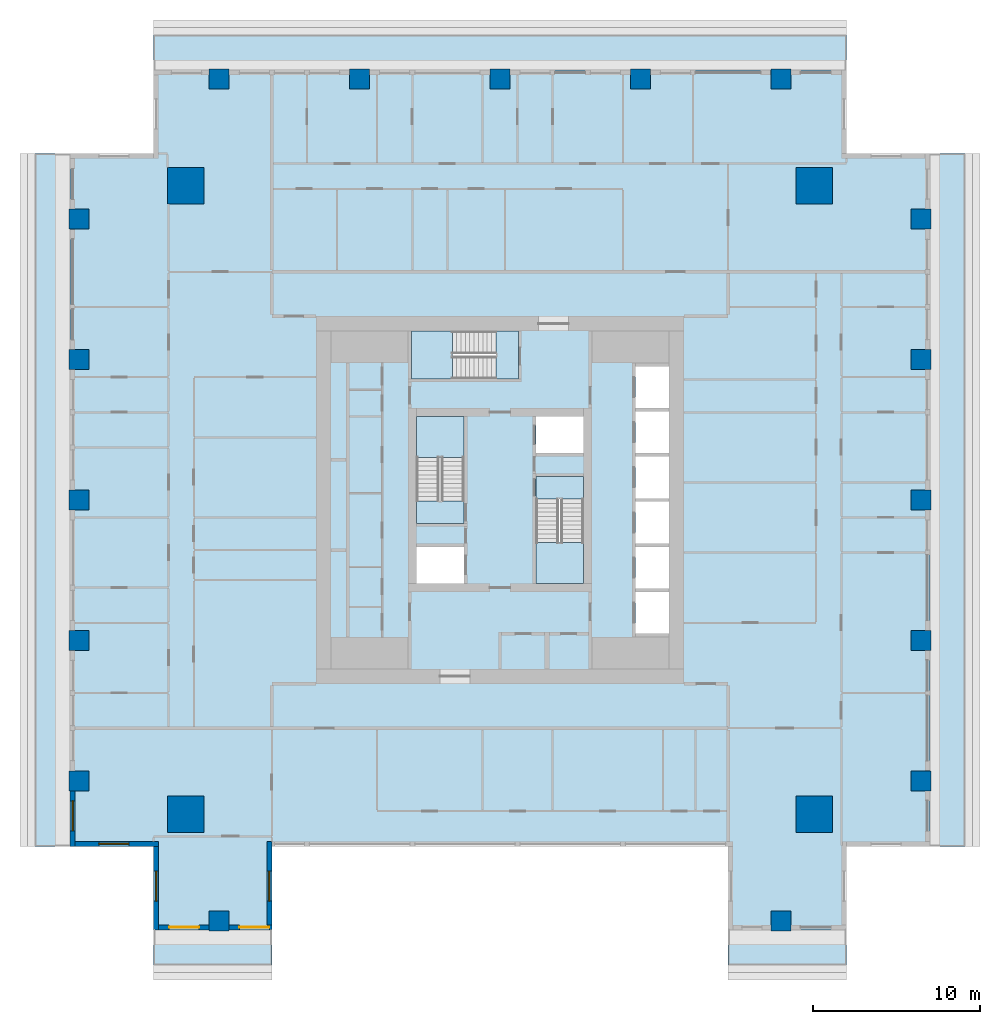
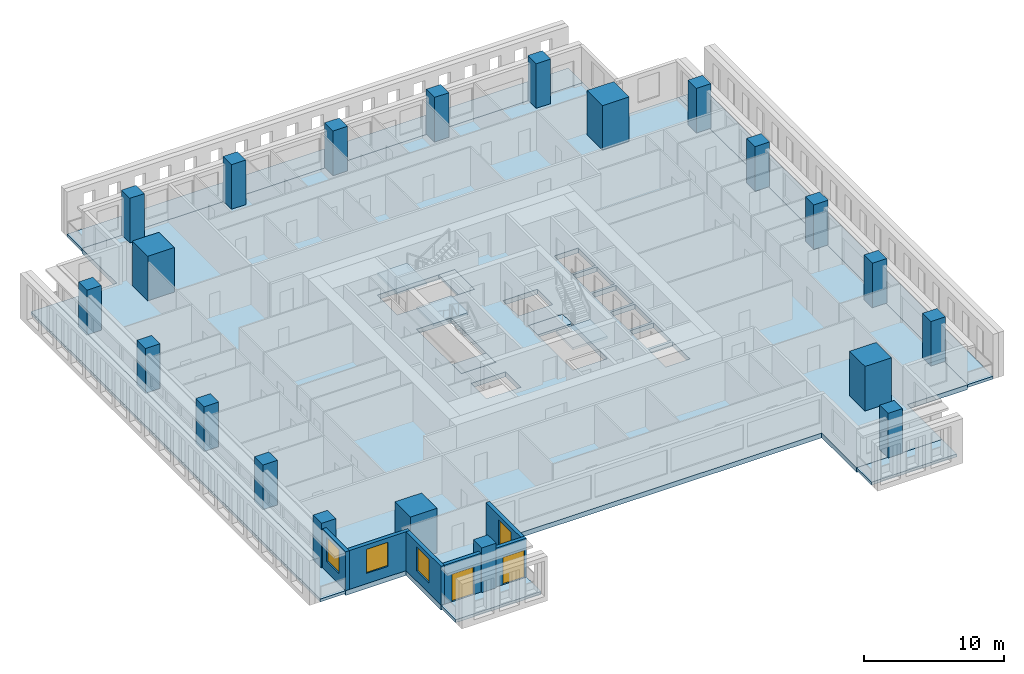
# One storey, part 1 of 14: 21 columns, 12 slabs, 6 walls, 4 windows, 2 doors, 6 openings, 3 elements without a shape of their own.
"""IFC4 building model written with IfcOpenShell, lengths in metres."""

from ifc_helpers import new_model, si_unit, direction, frame, frame_2d, origin, origin_2d, place, context, subcontext, project, spatial, polyline, rectangle, outline, extrude, material, layer, layer_set, material_profile, profile_set, type_object, element, fill, aggregate, save


model = new_model("IFC4")

# Units and contexts
model_context = context("Model", 3, precision=1e-05, world=origin(), true_north=direction((0.0, 1.0)))
body_context = subcontext(model_context, "Body", "Model", "MODEL_VIEW")
ifc_project = project(units=[si_unit("LENGTHUNIT", "METRE"), si_unit("AREAUNIT", "SQUARE_METRE"), si_unit("VOLUMEUNIT", "CUBIC_METRE"), si_unit("PLANEANGLEUNIT", "RADIAN"), si_unit("MASSUNIT", "GRAM", prefix="KILO")], contexts=[model_context])

# Site, building, storey
site_placement = place(None, origin())
site = spatial("IfcSite", under=ifc_project, at=site_placement, CompositionType="ELEMENT")
building_placement = place(site_placement, origin())
building = spatial("IfcBuilding", under=site, at=building_placement, Name="Khepri Terraces", CompositionType="ELEMENT")
storey_placement = place(building_placement, frame((0.0, 0.0, 283.5)))
storey = spatial("IfcBuildingStorey", under=building, at=storey_placement, Name="L68", CompositionType="ELEMENT", Elevation=283.5)

# Columns
ifc_material_1 = material(Name="Concrete C40/50", Category="concrete")
ifc_material_profile_1 = material_profile(ifc_material_1, rectangle(XDim=2.199951171875, YDim=2.199951171875, at=origin_2d()), Name="Concrete C40/50", Category="concrete")
ifc_profile_set_1 = profile_set([ifc_material_profile_1], Name="Concrete C40/50")
column_type_1 = type_object("IfcColumnType", Name="Mega column RC 2200x2200 C40/50", PredefinedType="COLUMN", material=ifc_profile_set_1)
for number, where, z_axis, x_axis, name in (
    (1, (18.800048828125, 18.800048828125, 0.0), (0.0, 0.0, 1.0), (1.0, 0.0, 0.0), "Mega column MEN L68"),
    (2, (18.800048828125, -18.800048828125, 0.0), (0.0, 0.0, 1.0), (1.0, 0.0, 0.0), "Mega column MES L68"),
    (3, (-18.800048828125, 18.800048828125, 0.0), (0.0, 0.0, 1.0), (1.0, 0.0, 0.0), "Mega column MWN L68"),
    (4, (-18.800048828125, -18.800048828125, 0.0), (0.0, 0.0, 1.0), (1.0, 0.0, 0.0), "Mega column MWS L68"),
):
    element("IfcColumn", number, at=place(storey_placement, frame(where, z_axis=z_axis, x_axis=x_axis)), inside=storey, type_object=column_type_1, Name=name, PredefinedType="COLUMN", context=body_context, shape_type="SweptSolid", body=[
        extrude(rectangle(XDim=2.199951171875, YDim=2.199951171875, at=origin_2d()), origin(), (0.0, 0.0, 1.0), 3.89990234375),
    ])
ifc_material_profile_2 = material_profile(ifc_material_1, rectangle(XDim=1.199951171875, YDim=1.199951171875, at=origin_2d()), Name="Concrete C40/50", Category="concrete")
ifc_profile_set_2 = profile_set([ifc_material_profile_2], Name="Concrete C40/50")
column_type_2 = type_object("IfcColumnType", Name="Tower column RC 1200x1200 C40/50", PredefinedType="COLUMN", material=ifc_profile_set_2)
for number, where, z_axis, x_axis, name in (
    (5, (25.199951171875, 0.0, 0.0), (0.0, 0.0, 1.0), (1.0, 0.0, 0.0), "Perimeter column PE+000b L68"),
    (6, (25.199951171875, 8.39990234375, 0.0), (0.0, 0.0, 1.0), (1.0, 0.0, 0.0), "Perimeter column PE+084b L68"),
    (7, (25.199951171875, 16.800048828125, 0.0), (0.0, 0.0, 1.0), (1.0, 0.0, 0.0), "Perimeter column PE+168a L68"),
    (8, (25.199951171875, -8.39990234375, 0.0), (0.0, 0.0, 1.0), (1.0, 0.0, 0.0), "Perimeter column PE-084b L68"),
    (9, (25.199951171875, -16.800048828125, 0.0), (0.0, 0.0, 1.0), (1.0, 0.0, 0.0), "Perimeter column PE-168a L68"),
    (10, (0.0, 25.199951171875, 0.0), (0.0, 0.0, 1.0), (1.0, 0.0, 0.0), "Perimeter column PN+000b L68"),
    (11, (-8.39990234375, 25.199951171875, 0.0), (0.0, 0.0, 1.0), (1.0, 0.0, 0.0), "Perimeter column PN+084b L68"),
    (12, (-16.800048828125, 25.199951171875, 0.0), (0.0, 0.0, 1.0), (1.0, 0.0, 0.0), "Perimeter column PN+168a L68"),
    (13, (8.39990234375, 25.199951171875, 0.0), (0.0, 0.0, 1.0), (1.0, 0.0, 0.0), "Perimeter column PN-084b L68"),
    (14, (16.800048828125, 25.199951171875, 0.0), (0.0, 0.0, 1.0), (1.0, 0.0, 0.0), "Perimeter column PN-168a L68"),
    (15, (16.800048828125, -25.199951171875, 0.0), (0.0, 0.0, 1.0), (1.0, 0.0, 0.0), "Perimeter column PS+168a L68"),
    (16, (-16.800048828125, -25.199951171875, 0.0), (0.0, 0.0, 1.0), (1.0, 0.0, 0.0), "Perimeter column PS-168a L68"),
    (17, (-25.199951171875, 0.0, 0.0), (0.0, 0.0, 1.0), (1.0, 0.0, 0.0), "Perimeter column PW+000b L68"),
    (18, (-25.199951171875, -8.39990234375, 0.0), (0.0, 0.0, 1.0), (1.0, 0.0, 0.0), "Perimeter column PW+084b L68"),
    (19, (-25.199951171875, -16.800048828125, 0.0), (0.0, 0.0, 1.0), (1.0, 0.0, 0.0), "Perimeter column PW+168a L68"),
    (20, (-25.199951171875, 8.39990234375, 0.0), (0.0, 0.0, 1.0), (1.0, 0.0, 0.0), "Perimeter column PW-084b L68"),
    (21, (-25.199951171875, 16.800048828125, 0.0), (0.0, 0.0, 1.0), (1.0, 0.0, 0.0), "Perimeter column PW-168a L68"),
):
    element("IfcColumn", number, at=place(storey_placement, frame(where, z_axis=z_axis, x_axis=x_axis)), inside=storey, type_object=column_type_2, Name=name, PredefinedType="COLUMN", context=body_context, shape_type="SweptSolid", body=[
        extrude(rectangle(XDim=1.199951171875, YDim=1.199951171875, at=origin_2d()), origin(), (0.0, 0.0, 1.0), 3.89990234375),
    ])

# Slabs
ifc_layer_1 = layer(ifc_material_1, 0.419921875, Name="Concrete C40/50", Category="concrete")
ifc_layer_set_1 = layer_set([ifc_layer_1], Name="Concrete C40/50")
slab_type_1 = type_object("IfcSlabType", Name="Flat plate 420", PredefinedType="FLOOR", material=ifc_layer_set_1)
slab_1_placement = place(storey_placement, frame((0.0, 0.0, -0.419921875)))
element("IfcSlab", 22, at=slab_1_placement, inside=storey, type_object=slab_type_1, Name="Floor slab F01 L68", PredefinedType="FLOOR", context=body_context, shape_type="SweptSolid", body=[
    extrude(outline(polyline([(-20.719970703125, 25.719970703125), (20.719970703125, 25.719970703125), (20.719970703125, 20.719970703125), (25.719970703125, 20.719970703125), (25.719970703125, -20.719970703125), (20.719970703125, -20.719970703125), (20.719970703125, -25.719970703125), (13.64990234375, -25.719970703125), (13.64990234375, -20.719970703125), (-13.64990234375, -20.719970703125), (-13.64990234375, -25.719970703125), (-20.719970703125, -25.719970703125), (-20.719970703125, -20.719970703125), (-25.719970703125, -20.719970703125), (-25.719970703125, 20.719970703125), (-20.719970703125, 20.719970703125), (-20.719970703125, 25.719970703125)]), holes=[polyline([(2.14990234375, 2.800048828125), (5.0, 2.800048828125), (5.0, 5.0), (2.14990234375, 5.0), (2.14990234375, 2.800048828125)]), polyline([(-5.0, -2.800048828125), (-5.0, -5.0), (-2.14990234375, -5.0), (-2.14990234375, -2.800048828125), (-5.0, -2.800048828125)]), polyline([(10.10009765625, -5.5), (8.10009765625, -5.5), (8.10009765625, -8.0), (10.10009765625, -8.0), (10.10009765625, -5.5)]), polyline([(10.10009765625, -5.300048828125), (10.10009765625, -2.800048828125), (8.10009765625, -2.800048828125), (8.10009765625, -5.300048828125), (10.10009765625, -5.300048828125)]), polyline([(8.10009765625, -2.60009765625), (10.10009765625, -2.60009765625), (10.10009765625, -0.10009765625), (8.10009765625, -0.10009765625), (8.10009765625, -2.60009765625)]), polyline([(8.10009765625, 2.60009765625), (8.10009765625, 0.10009765625), (10.10009765625, 0.10009765625), (10.10009765625, 2.60009765625), (8.10009765625, 2.60009765625)]), polyline([(10.10009765625, 5.300048828125), (8.10009765625, 5.300048828125), (8.10009765625, 2.800048828125), (10.10009765625, 2.800048828125), (10.10009765625, 5.300048828125)]), polyline([(10.10009765625, 5.5), (10.10009765625, 8.0), (8.10009765625, 8.0), (8.10009765625, 5.5), (10.10009765625, 5.5)]), polyline([(-5.0, -1.39990234375), (-2.14990234375, -1.39990234375), (-2.14990234375, 5.0), (-5.0, 5.0), (-5.0, -1.39990234375)]), polyline([(5.0, -5.0), (5.0, 1.39990234375), (2.14990234375, 1.39990234375), (2.14990234375, -5.0), (5.0, -5.0)]), polyline([(-5.300048828125, 10.10009765625), (-5.300048828125, 7.25), (1.10009765625, 7.25), (1.10009765625, 10.10009765625), (-5.300048828125, 10.10009765625)])]), origin(), (0.0, 0.0, 1.0), 0.419921875),
])
ifc_material_2 = material(Name="Precast concrete C50/60 warm stone", Category="masonry")
ifc_layer_2 = layer(ifc_material_2, 0.25, Name="Precast concrete C50/60 warm stone", Category="masonry")
ifc_layer_set_2 = layer_set([ifc_layer_2], Name="Precast concrete C50/60 warm stone")
slab_type_2 = type_object("IfcSlabType", Name="SLB-BALCONY-250", PredefinedType="FLOOR", material=ifc_layer_set_2)
slab_2_placement = place(storey_placement, frame((0.0, 0.0, -0.25)))
element("IfcSlab", 23, at=slab_2_placement, inside=storey, type_object=slab_type_2, Name="Balcony slab L68 S", PredefinedType="FLOOR", context=body_context, shape_type="SweptSolid", body=[
    extrude(outline(polyline([(-17.39990234375, -25.719970703125), (-20.719970703125, -25.719970703125), (-20.719970703125, -27.820068359375), (-13.64990234375, -27.820068359375), (-13.64990234375, -25.719970703125), (-16.199951171875, -25.719970703125), (-16.199951171875, -25.800048828125), (-17.39990234375, -25.800048828125), (-17.39990234375, -25.719970703125)])), origin(), (0.0, 0.0, 1.0), 0.25),
])
slab_3_placement = place(storey_placement, frame((0.0, 0.0, -0.25)))
element("IfcSlab", 24, at=slab_3_placement, inside=storey, type_object=slab_type_2, Name="Balcony slab L68 S", PredefinedType="FLOOR", context=body_context, shape_type="SweptSolid", body=[
    extrude(outline(polyline([(16.199951171875, -25.719970703125), (13.64990234375, -25.719970703125), (13.64990234375, -27.820068359375), (20.719970703125, -27.820068359375), (20.719970703125, -25.719970703125), (17.39990234375, -25.719970703125), (17.39990234375, -25.800048828125), (16.199951171875, -25.800048828125), (16.199951171875, -25.719970703125)])), origin(), (0.0, 0.0, 1.0), 0.25),
])
slab_4_placement = place(storey_placement, frame((0.0, 0.0, -0.25)))
element("IfcSlab", 25, at=slab_4_placement, inside=storey, type_object=slab_type_2, Name="Balcony slab L68 E", PredefinedType="FLOOR", context=body_context, shape_type="SweptSolid", body=[
    extrude(outline(polyline([(25.719970703125, -17.39990234375), (25.719970703125, -20.719970703125), (27.820068359375, -20.719970703125), (27.820068359375, 20.719970703125), (25.719970703125, 20.719970703125), (25.719970703125, 17.39990234375), (25.800048828125, 17.39990234375), (25.800048828125, 16.199951171875), (25.719970703125, 16.199951171875), (25.719970703125, 9.0), (25.800048828125, 9.0), (25.800048828125, 7.800048828125), (25.719970703125, 7.800048828125), (25.719970703125, 0.60009765625), (25.800048828125, 0.60009765625), (25.800048828125, -0.60009765625), (25.719970703125, -0.60009765625), (25.719970703125, -7.800048828125), (25.800048828125, -7.800048828125), (25.800048828125, -9.0), (25.719970703125, -9.0), (25.719970703125, -16.199951171875), (25.800048828125, -16.199951171875), (25.800048828125, -17.39990234375), (25.719970703125, -17.39990234375)])), origin(), (0.0, 0.0, 1.0), 0.25),
])
slab_5_placement = place(storey_placement, frame((0.0, 0.0, -0.25)))
element("IfcSlab", 26, at=slab_5_placement, inside=storey, type_object=slab_type_2, Name="Balcony slab L68 N", PredefinedType="FLOOR", context=body_context, shape_type="SweptSolid", body=[
    extrude(outline(polyline([(17.39990234375, 25.719970703125), (20.719970703125, 25.719970703125), (20.719970703125, 27.820068359375), (-20.719970703125, 27.820068359375), (-20.719970703125, 25.719970703125), (-17.39990234375, 25.719970703125), (-17.39990234375, 25.800048828125), (-16.199951171875, 25.800048828125), (-16.199951171875, 25.719970703125), (-9.0, 25.719970703125), (-9.0, 25.800048828125), (-7.800048828125, 25.800048828125), (-7.800048828125, 25.719970703125), (-0.60009765625, 25.719970703125), (-0.60009765625, 25.800048828125), (0.60009765625, 25.800048828125), (0.60009765625, 25.719970703125), (7.800048828125, 25.719970703125), (7.800048828125, 25.800048828125), (9.0, 25.800048828125), (9.0, 25.719970703125), (16.199951171875, 25.719970703125), (16.199951171875, 25.800048828125), (17.39990234375, 25.800048828125), (17.39990234375, 25.719970703125)])), origin(), (0.0, 0.0, 1.0), 0.25),
])
slab_6_placement = place(storey_placement, frame((0.0, 0.0, -0.25)))
element("IfcSlab", 27, at=slab_6_placement, inside=storey, type_object=slab_type_2, Name="Balcony slab L68 W", PredefinedType="FLOOR", context=body_context, shape_type="SweptSolid", body=[
    extrude(outline(polyline([(-25.719970703125, 17.39990234375), (-25.719970703125, 20.719970703125), (-27.820068359375, 20.719970703125), (-27.820068359375, -20.719970703125), (-25.719970703125, -20.719970703125), (-25.719970703125, -17.39990234375), (-25.800048828125, -17.39990234375), (-25.800048828125, -16.199951171875), (-25.719970703125, -16.199951171875), (-25.719970703125, -9.0), (-25.800048828125, -9.0), (-25.800048828125, -7.800048828125), (-25.719970703125, -7.800048828125), (-25.719970703125, -0.60009765625), (-25.800048828125, -0.60009765625), (-25.800048828125, 0.60009765625), (-25.719970703125, 0.60009765625), (-25.719970703125, 7.800048828125), (-25.800048828125, 7.800048828125), (-25.800048828125, 9.0), (-25.719970703125, 9.0), (-25.719970703125, 16.199951171875), (-25.800048828125, 16.199951171875), (-25.800048828125, 17.39990234375), (-25.719970703125, 17.39990234375)])), origin(), (0.0, 0.0, 1.0), 0.25),
])

# Stair, slabs
stair_type = type_object("IfcStairType", Name="STAIR-RC-22R", PredefinedType="HALF_TURN_STAIR", material=ifc_material_1)
stair_1_placement = place(storey_placement, origin())
stair_1 = element("IfcStair", 28, at=stair_1_placement, inside=storey, type_object=stair_type, Name="L68 Exit Stair ST-1", PredefinedType="HALF_TURN_STAIR")
ifc_layer_3 = layer(ifc_material_1, 0.199951171875, Name="Concrete C40/50", Category="concrete")
ifc_layer_set_3 = layer_set([ifc_layer_3], Name="Concrete C40/50")
slab_type_3 = type_object("IfcSlabType", Name="SLB-CORE-LANDING", PredefinedType="LANDING", material=ifc_layer_set_3)
slab_7_placement = place(storey_placement, frame((0.0, 0.0, -0.199951171875)))
slab_7 = element("IfcSlab", 29, at=slab_7_placement, type_object=slab_type_3, Name="ST-1 landing 1", PredefinedType="LANDING", context=body_context, shape_type="SweptSolid", body=[
    extrude(outline(polyline([(-2.14990234375, -1.39990234375), (-2.14990234375, -0.050048828125), (-5.0, -0.050048828125), (-5.0, -1.39990234375), (-2.14990234375, -1.39990234375)])), origin(), (0.0, 0.0, 1.0), 0.199951171875),
])
slab_8_placement = place(storey_placement, frame((0.0, 0.0, 1.75)))
slab_8 = element("IfcSlab", 30, at=slab_8_placement, type_object=slab_type_3, Name="ST-1 landing 2", PredefinedType="LANDING", context=body_context, shape_type="SweptSolid", body=[
    extrude(outline(polyline([(-2.14990234375, 2.550048828125), (-2.14990234375, 5.0), (-5.0, 5.0), (-5.0, 2.550048828125), (-2.14990234375, 2.550048828125)])), origin(), (0.0, 0.0, 1.0), 0.199951171875),
])
aggregate(stair_1, [slab_7, slab_8])

stair_2_placement = place(storey_placement, origin())
stair_2 = element("IfcStair", 31, at=stair_2_placement, inside=storey, type_object=stair_type, Name="L68 Exit Stair ST-2", PredefinedType="HALF_TURN_STAIR")
slab_9_placement = place(storey_placement, frame((0.0, 0.0, -0.199951171875)))
slab_9 = element("IfcSlab", 32, at=slab_9_placement, type_object=slab_type_3, Name="ST-2 landing 1", PredefinedType="LANDING", context=body_context, shape_type="SweptSolid", body=[
    extrude(outline(polyline([(2.14990234375, 1.39990234375), (2.14990234375, 0.050048828125), (5.0, 0.050048828125), (5.0, 1.39990234375), (2.14990234375, 1.39990234375)])), origin(), (0.0, 0.0, 1.0), 0.199951171875),
])
slab_10_placement = place(storey_placement, frame((0.0, 0.0, 1.75)))
slab_10 = element("IfcSlab", 33, at=slab_10_placement, type_object=slab_type_3, Name="ST-2 landing 2", PredefinedType="LANDING", context=body_context, shape_type="SweptSolid", body=[
    extrude(outline(polyline([(2.14990234375, -2.550048828125), (2.14990234375, -5.0), (5.0, -5.0), (5.0, -2.550048828125), (2.14990234375, -2.550048828125)])), origin(), (0.0, 0.0, 1.0), 0.199951171875),
])
aggregate(stair_2, [slab_9, slab_10])

stair_3_placement = place(storey_placement, origin())
stair_3 = element("IfcStair", 34, at=stair_3_placement, inside=storey, type_object=stair_type, Name="L68 Exit Stair ST-3", PredefinedType="HALF_TURN_STAIR")
slab_11_placement = place(storey_placement, frame((0.0, 0.0, -0.199951171875)))
slab_11 = element("IfcSlab", 35, at=slab_11_placement, type_object=slab_type_3, Name="ST-3 landing 1", PredefinedType="LANDING", context=body_context, shape_type="SweptSolid", body=[
    extrude(outline(polyline([(1.10009765625, 10.10009765625), (-0.25, 10.10009765625), (-0.25, 7.25), (1.10009765625, 7.25), (1.10009765625, 10.10009765625)])), origin(), (0.0, 0.0, 1.0), 0.199951171875),
])
slab_12_placement = place(storey_placement, frame((0.0, 0.0, 1.75)))
slab_12 = element("IfcSlab", 36, at=slab_12_placement, type_object=slab_type_3, Name="ST-3 landing 2", PredefinedType="LANDING", context=body_context, shape_type="SweptSolid", body=[
    extrude(outline(polyline([(-2.85009765625, 10.10009765625), (-5.300048828125, 10.10009765625), (-5.300048828125, 7.25), (-2.85009765625, 7.25), (-2.85009765625, 10.10009765625)])), origin(), (0.0, 0.0, 1.0), 0.199951171875),
])
aggregate(stair_3, [slab_11, slab_12])

# Wall, opening, window
ifc_layer_4 = layer(ifc_material_2, 0.300048828125, Name="Precast concrete C50/60 warm stone", Category="masonry")
ifc_layer_set_4 = layer_set([ifc_layer_4], Name="Precast concrete C50/60 warm stone")
wall_type = type_object("IfcWallType", Name="WL-EXT-PRECAST-300", PredefinedType="STANDARD", material=ifc_layer_set_4)
wall_1_placement = place(storey_placement, frame((-25.570068359375, -17.39990234375, 0.0), z_axis=(0.0, 0.0, 1.0), x_axis=(0.0, -1.0, 0.0)))
wall_1 = element("IfcWall", 37, at=wall_1_placement, inside=storey, type_object=wall_type, Name="External wall L68 W", PredefinedType="STANDARD", context=body_context, shape_type="SweptSolid", body=[
    extrude(rectangle(XDim=3.320068359375, YDim=0.300048828125, at=frame_2d((1.66015625, 0.0))), origin(), (0.0, 0.0, 1.0), 3.39990234375),
])
opening_1_placement = place(wall_1_placement, frame((0.60009765625, 0.0, 0.89990234375)))
opening_1 = element("IfcOpeningElement", 38, at=opening_1_placement, cuts=wall_1, Name="Opening W1", PredefinedType="OPENING", context=body_context, shape_type="SweptSolid", body=[
    extrude(rectangle(XDim=1.800048828125, YDim=2.10009765625, at=frame_2d((0.89990234375, 1.050048828125))), frame((0.0, 0.16015625, 0.0), z_axis=(0.0, -1.0, 0.0), x_axis=(1.0, 0.0, 0.0)), (0.0, 0.0, 1.0), 0.320068359375),
])
ifc_material_3 = material(Name="Clear glass", Category="glass")
window_type = type_object("IfcWindowType", Name="WIN-RES-1800x2100", PartitioningType="SINGLE_PANEL", PredefinedType="WINDOW", material=ifc_material_3)
window_1_placement = place(opening_1_placement, origin())
window_1 = element("IfcWindow", 39, at=window_1_placement, inside=storey, type_object=window_type, Name="Window L68 W", OverallHeight=2.10009765625, OverallWidth=1.800048828125, PartitioningType="SINGLE_PANEL", PredefinedType="WINDOW", context=body_context, shape_type="SweptSolid", body=[
    extrude(rectangle(XDim=1.800048828125, YDim=2.10009765625, at=frame_2d((0.89990234375, 1.050048828125))), frame((0.0, 0.030029296875, 0.0), z_axis=(0.0, -1.0, 0.0), x_axis=(1.0, 0.0, 0.0)), (0.0, 0.0, 1.0), 0.06005859375),
])
fill(opening_1, window_1)

wall_2_placement = place(storey_placement, frame((-25.419921875, -20.570068359375, 0.0), z_axis=(0.0, 0.0, 1.0), x_axis=(1.0, 0.0, 0.0)))
wall_2 = element("IfcWall", 40, at=wall_2_placement, inside=storey, type_object=wall_type, Name="External wall L68 S", PredefinedType="STANDARD", context=body_context, shape_type="SweptSolid", body=[
    extrude(rectangle(XDim=5.0, YDim=0.300048828125, at=frame_2d((2.5, 0.0))), origin(), (0.0, 0.0, 1.0), 3.39990234375),
])
opening_2_placement = place(wall_2_placement, frame((1.419921875, 0.0, 0.89990234375)))
opening_2 = element("IfcOpeningElement", 41, at=opening_2_placement, cuts=wall_2, Name="Opening W1", PredefinedType="OPENING", context=body_context, shape_type="SweptSolid", body=[
    extrude(rectangle(XDim=1.800048828125, YDim=2.10009765625, at=frame_2d((0.89990234375, 1.050048828125))), frame((0.0, 0.16015625, 0.0), z_axis=(0.0, -1.0, 0.0), x_axis=(1.0, 0.0, 0.0)), (0.0, 0.0, 1.0), 0.320068359375),
])
window_2_placement = place(opening_2_placement, origin())
window_2 = element("IfcWindow", 42, at=window_2_placement, inside=storey, type_object=window_type, Name="Window L68 S", OverallHeight=2.10009765625, OverallWidth=1.800048828125, PartitioningType="SINGLE_PANEL", PredefinedType="WINDOW", context=body_context, shape_type="SweptSolid", body=[
    extrude(rectangle(XDim=1.800048828125, YDim=2.10009765625, at=frame_2d((0.89990234375, 1.050048828125))), frame((0.0, 0.030029296875, 0.0), z_axis=(0.0, -1.0, 0.0), x_axis=(1.0, 0.0, 0.0)), (0.0, 0.0, 1.0), 0.06005859375),
])
fill(opening_2, window_2)

wall_3_placement = place(storey_placement, frame((-20.570068359375, -20.719970703125, 0.0), z_axis=(0.0, 0.0, 1.0), x_axis=(0.0, -1.0, 0.0)))
wall_3 = element("IfcWall", 43, at=wall_3_placement, inside=storey, type_object=wall_type, Name="External wall L68 W", PredefinedType="STANDARD", context=body_context, shape_type="SweptSolid", body=[
    extrude(rectangle(XDim=5.0, YDim=0.300048828125, at=frame_2d((2.5, 0.0))), origin(), (0.0, 0.0, 1.0), 3.39990234375),
])
opening_3_placement = place(wall_3_placement, frame((1.47998046875, 0.0, 0.89990234375)))
opening_3 = element("IfcOpeningElement", 44, at=opening_3_placement, cuts=wall_3, Name="Opening W1", PredefinedType="OPENING", context=body_context, shape_type="SweptSolid", body=[
    extrude(rectangle(XDim=1.800048828125, YDim=2.10009765625, at=frame_2d((0.89990234375, 1.050048828125))), frame((0.0, 0.16015625, 0.0), z_axis=(0.0, -1.0, 0.0), x_axis=(1.0, 0.0, 0.0)), (0.0, 0.0, 1.0), 0.320068359375),
])
window_3_placement = place(opening_3_placement, origin())
window_3 = element("IfcWindow", 45, at=window_3_placement, inside=storey, type_object=window_type, Name="Window L68 W", OverallHeight=2.10009765625, OverallWidth=1.800048828125, PartitioningType="SINGLE_PANEL", PredefinedType="WINDOW", context=body_context, shape_type="SweptSolid", body=[
    extrude(rectangle(XDim=1.800048828125, YDim=2.10009765625, at=frame_2d((0.89990234375, 1.050048828125))), frame((0.0, 0.030029296875, 0.0), z_axis=(0.0, -1.0, 0.0), x_axis=(1.0, 0.0, 0.0)), (0.0, 0.0, 1.0), 0.06005859375),
])
fill(opening_3, window_3)

# Wall, opening, door
wall_4_placement = place(storey_placement, frame((-20.419921875, -25.570068359375, 0.0), z_axis=(0.0, 0.0, 1.0), x_axis=(1.0, 0.0, 0.0)))
wall_4 = element("IfcWall", 46, at=wall_4_placement, inside=storey, type_object=wall_type, Name="External wall L68 S", PredefinedType="STANDARD", context=body_context, shape_type="SweptSolid", body=[
    extrude(rectangle(XDim=3.02001953125, YDim=0.300048828125, at=frame_2d((1.510009765625, 0.0))), origin(), (0.0, 0.0, 1.0), 3.39990234375),
])
opening_4_placement = place(wall_4_placement, frame((0.6201171875, 0.0, 0.0)))
opening_4 = element("IfcOpeningElement", 47, at=opening_4_placement, cuts=wall_4, Name="Opening ED-L68-11", PredefinedType="OPENING", context=body_context, shape_type="SweptSolid", body=[
    extrude(rectangle(XDim=1.800048828125, YDim=2.39990234375, at=frame_2d((0.89990234375, 1.199951171875))), frame((0.0, 0.16015625, 0.0), z_axis=(0.0, -1.0, 0.0), x_axis=(1.0, 0.0, 0.0)), (0.0, 0.0, 1.0), 0.320068359375),
])
ifc_material_4 = material(Name="Anodised aluminium bronze glazed door", Category="aluminium")
door_type = type_object("IfcDoorType", Name="DR-BAL-SLIDE-1800x2400", OperationType="NOTDEFINED", PredefinedType="DOOR", material=ifc_material_4)
door_1_placement = place(opening_4_placement, origin())
door_1 = element("IfcDoor", 48, at=door_1_placement, inside=storey, type_object=door_type, Name="Balcony door L68 S", OperationType="SLIDING_TO_RIGHT", OverallHeight=2.39990234375, OverallWidth=1.800048828125, PredefinedType="DOOR", context=body_context, shape_type="SweptSolid", body=[
    extrude(rectangle(XDim=1.800048828125, YDim=2.39990234375, at=frame_2d((0.89990234375, 1.199951171875))), frame((0.0, 0.02490234375, 0.0), z_axis=(0.0, -1.0, 0.0), x_axis=(1.0, 0.0, 0.0)), (0.0, 0.0, 1.0), 0.050048828125),
])
fill(opening_4, door_1)

wall_5_placement = place(storey_placement, frame((-16.199951171875, -25.570068359375, 0.0), z_axis=(0.0, 0.0, 1.0), x_axis=(1.0, 0.0, 0.0)))
wall_5 = element("IfcWall", 49, at=wall_5_placement, inside=storey, type_object=wall_type, Name="External wall L68 S", PredefinedType="STANDARD", context=body_context, shape_type="SweptSolid", body=[
    extrude(rectangle(XDim=2.550048828125, YDim=0.300048828125, at=frame_2d((1.27490234375, 0.0))), origin(), (0.0, 0.0, 1.0), 3.39990234375),
])
opening_5_placement = place(wall_5_placement, frame((0.60009765625, 0.0, 0.0)))
opening_5 = element("IfcOpeningElement", 50, at=opening_5_placement, cuts=wall_5, Name="Opening ED-L68-12", PredefinedType="OPENING", context=body_context, shape_type="SweptSolid", body=[
    extrude(rectangle(XDim=1.800048828125, YDim=2.39990234375, at=frame_2d((0.89990234375, 1.199951171875))), frame((0.0, 0.16015625, 0.0), z_axis=(0.0, -1.0, 0.0), x_axis=(1.0, 0.0, 0.0)), (0.0, 0.0, 1.0), 0.320068359375),
])
door_2_placement = place(opening_5_placement, origin())
door_2 = element("IfcDoor", 51, at=door_2_placement, inside=storey, type_object=door_type, Name="Balcony door L68 S", OperationType="SLIDING_TO_LEFT", OverallHeight=2.39990234375, OverallWidth=1.800048828125, PredefinedType="DOOR", context=body_context, shape_type="SweptSolid", body=[
    extrude(rectangle(XDim=1.800048828125, YDim=2.39990234375, at=frame_2d((0.89990234375, 1.199951171875))), frame((0.0, 0.02490234375, 0.0), z_axis=(0.0, -1.0, 0.0), x_axis=(1.0, 0.0, 0.0)), (0.0, 0.0, 1.0), 0.050048828125),
])
fill(opening_5, door_2)

# Wall, opening, window
wall_6_placement = place(storey_placement, frame((-13.800048828125, -25.419921875, 0.0), z_axis=(0.0, 0.0, 1.0), x_axis=(0.0, 1.0, 0.0)))
wall_6 = element("IfcWall", 52, at=wall_6_placement, inside=storey, type_object=wall_type, Name="External wall L68 E", PredefinedType="STANDARD", context=body_context, shape_type="SweptSolid", body=[
    extrude(rectangle(XDim=5.0, YDim=0.300048828125, at=frame_2d((2.5, 0.0))), origin(), (0.0, 0.0, 1.0), 3.39990234375),
])
opening_6_placement = place(wall_6_placement, frame((1.419921875, 0.0, 0.89990234375)))
opening_6 = element("IfcOpeningElement", 53, at=opening_6_placement, cuts=wall_6, Name="Opening W1", PredefinedType="OPENING", context=body_context, shape_type="SweptSolid", body=[
    extrude(rectangle(XDim=1.800048828125, YDim=2.10009765625, at=frame_2d((0.89990234375, 1.050048828125))), frame((0.0, 0.16015625, 0.0), z_axis=(0.0, -1.0, 0.0), x_axis=(1.0, 0.0, 0.0)), (0.0, 0.0, 1.0), 0.320068359375),
])
window_4_placement = place(opening_6_placement, origin())
window_4 = element("IfcWindow", 54, at=window_4_placement, inside=storey, type_object=window_type, Name="Window L68 E", OverallHeight=2.10009765625, OverallWidth=1.800048828125, PartitioningType="SINGLE_PANEL", PredefinedType="WINDOW", context=body_context, shape_type="SweptSolid", body=[
    extrude(rectangle(XDim=1.800048828125, YDim=2.10009765625, at=frame_2d((0.89990234375, 1.050048828125))), frame((0.0, 0.030029296875, 0.0), z_axis=(0.0, -1.0, 0.0), x_axis=(1.0, 0.0, 0.0)), (0.0, 0.0, 1.0), 0.06005859375),
])
fill(opening_6, window_4)

save(model, "model.ifc")
